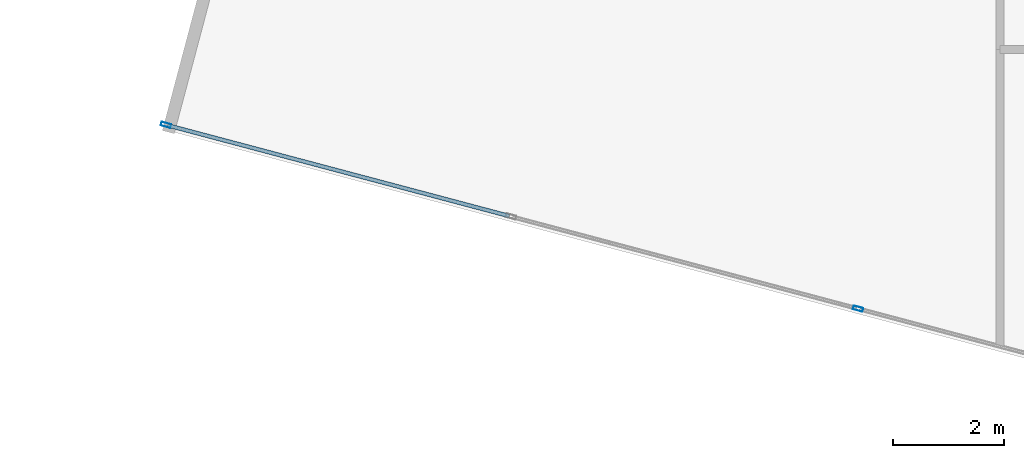
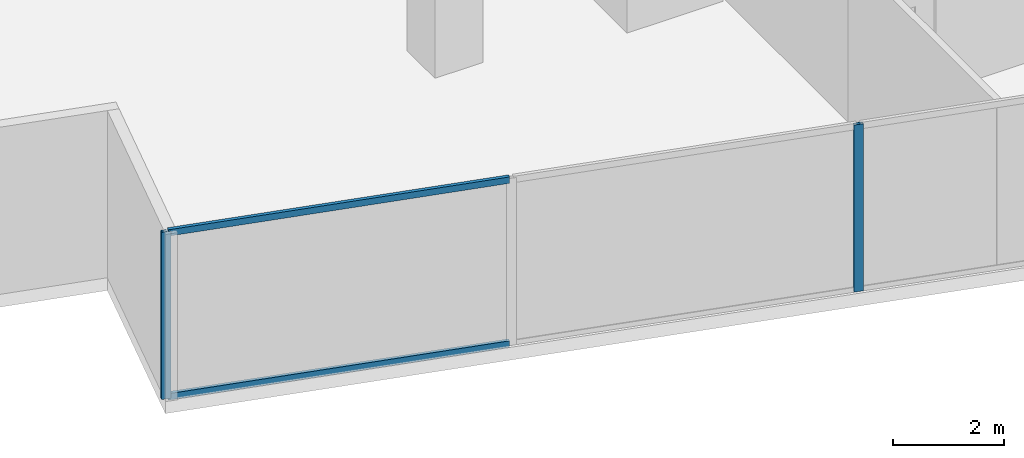
# One storey, part 2 of 27: 4 members, 1 element without a shape of its own.
"""IFC4 building model written with IfcOpenShell, lengths in metres."""

from ifc_helpers import new_model, si_unit, direction, frame, origin, origin_2d, place, context, subcontext, project, spatial, hollow_rectangle, extrude, source, transform, mapped, material, material_profile, profile_set, type_object, type_shapes, element, aggregate, save


model = new_model("IFC4")

# Units and contexts
model_context = context("Model", 3, precision=1e-05, world=origin(), true_north=direction((0.0, 1.0)))
body_context = subcontext(model_context, "Body", "Model", "MODEL_VIEW")
ifc_project = project(units=[si_unit("LENGTHUNIT", "METRE"), si_unit("AREAUNIT", "SQUARE_METRE"), si_unit("VOLUMEUNIT", "CUBIC_METRE"), si_unit("PLANEANGLEUNIT", "RADIAN"), si_unit("MASSUNIT", "GRAM", prefix="KILO")], contexts=[model_context])

# Site, building, storey
site_placement = place(None, origin())
site = spatial("IfcSite", under=ifc_project, at=site_placement, CompositionType="ELEMENT")
building_placement = place(site_placement, origin())
building = spatial("IfcBuilding", under=site, at=building_placement, Name="Krantzveldt Concourse Tower", CompositionType="ELEMENT")
storey_placement = place(building_placement, frame((0.0, 0.0, 101.89990234375)))
storey = spatial("IfcBuildingStorey", under=building, at=storey_placement, Name="L24", CompositionType="ELEMENT", Elevation=101.89990234375)

# Curtain wall, members
ifc_material = material(Name="Anodised aluminium 6063-T6", Category="aluminium")
curtain_wall_type = type_object("IfcCurtainWallType", Name="CW2", PredefinedType="USERDEFINED", material=ifc_material)
curtain_wall_placement = place(storey_placement, origin())
curtain_wall = element("IfcCurtainWall", 1, at=curtain_wall_placement, inside=storey, type_object=curtain_wall_type, Name="CW-L24-F04", ObjectType="UNITISED CURTAIN WALL", PredefinedType="USERDEFINED")
ifc_material_profile_1 = material_profile(ifc_material, hollow_rectangle(XDim=0.070068359375, YDim=0.179931640625, WallThickness=0.0048828125, at=origin_2d()), Name="Anodised aluminium 6063-T6", Category="aluminium")
ifc_profile_set_1 = profile_set([ifc_material_profile_1], Name="Anodised aluminium 6063-T6 - ALU-MULL 180x70x5")
member_type_1 = type_object("IfcMemberType", Name="CW-MUL-180", PredefinedType="MULLION", material=ifc_profile_set_1)
shared_shape_1 = source(origin(), body_context, "Body", "SweptSolid", [
    extrude(hollow_rectangle(XDim=0.070068359375, YDim=0.179931640625, WallThickness=0.0048828125, at=origin_2d()), origin(), (0.0, 0.0, 1.0), 3.670166015625),
])
type_shapes(member_type_1, [shared_shape_1])
member_1_placement = place(storey_placement, frame((11.300048828125, 9.142333984375, 0.0), z_axis=(0.0, 0.0, 1.0), x_axis=(0.256711093648, 0.966488186373, 0.0)))
member_1 = element("IfcMember", 2, at=member_1_placement, type_object=member_type_1, Name="CW-Z12 mullion 1", PredefinedType="MULLION", context=body_context, shape_type="MappedRepresentation", body=[
    mapped(shared_shape_1, transform((0.0, 0.0, 0.0), x_axis=(1.0, 0.0, 0.0), y_axis=(0.0, 1.0, 0.0), z_axis=(0.0, 0.0, 1.0), scale=1.0)),
])
member_2_placement = place(storey_placement, frame((23.76611328125, 5.831298828125, 0.0), z_axis=(0.0, 0.0, 1.0), x_axis=(0.256711093648, 0.966488186373, 0.0)))
member_2 = element("IfcMember", 3, at=member_2_placement, type_object=member_type_1, Name="CW-Z12 mullion 3", PredefinedType="MULLION", context=body_context, shape_type="MappedRepresentation", body=[
    mapped(shared_shape_1, transform((0.0, 0.0, 0.0), x_axis=(1.0, 0.0, 0.0), y_axis=(0.0, 1.0, 0.0), z_axis=(0.0, 0.0, 1.0), scale=1.0)),
])
ifc_material_profile_2 = material_profile(ifc_material, hollow_rectangle(XDim=0.070068359375, YDim=0.139892578125, WallThickness=0.0048828125, at=origin_2d()), Name="Anodised aluminium 6063-T6", Category="aluminium")
ifc_profile_set_2 = profile_set([ifc_material_profile_2], Name="Anodised aluminium 6063-T6 - ALU-TRAN 140x70x5")
member_type_2 = type_object("IfcMemberType", Name="CW-TRN-150", PredefinedType="USERDEFINED", material=ifc_profile_set_2)
shared_shape_2 = source(origin(), body_context, "Body", "SweptSolid", [
    extrude(hollow_rectangle(XDim=0.070068359375, YDim=0.139892578125, WallThickness=0.0048828125, at=origin_2d()), origin(), (0.0, 0.0, 1.0), 6.36181640625),
])
type_shapes(member_type_2, [shared_shape_2])
member_3_placement = place(storey_placement, frame((11.333740234375, 9.13330078125, 0.03515625), z_axis=(0.96649241661, -0.256695166754, 0.0), x_axis=(0.256695166754, 0.96649241661, 0.0)))
member_3 = element("IfcMember", 4, at=member_3_placement, type_object=member_type_2, Name="CW-Z12 transom 1.1", ObjectType="TRANSOM", PredefinedType="USERDEFINED", context=body_context, shape_type="MappedRepresentation", body=[
    mapped(shared_shape_2, transform((0.0, 0.0, 0.0), x_axis=(1.0, 0.0, 0.0), y_axis=(0.0, 1.0, 0.0), z_axis=(0.0, 0.0, 1.0), scale=1.0)),
])
member_4_placement = place(storey_placement, frame((11.333740234375, 9.13330078125, 3.635009765625), z_axis=(0.96649241661, -0.256695166754, 0.0), x_axis=(0.256695166754, 0.96649241661, 0.0)))
member_4 = element("IfcMember", 5, at=member_4_placement, type_object=member_type_2, Name="CW-Z12 transom 1.2", ObjectType="TRANSOM", PredefinedType="USERDEFINED", context=body_context, shape_type="MappedRepresentation", body=[
    mapped(shared_shape_2, transform((0.0, 0.0, 0.0), x_axis=(1.0, 0.0, 0.0), y_axis=(0.0, 1.0, 0.0), z_axis=(0.0, 0.0, 1.0), scale=1.0)),
])
aggregate(curtain_wall, [member_1, member_2, member_3, member_4])

save(model, "model.ifc")
